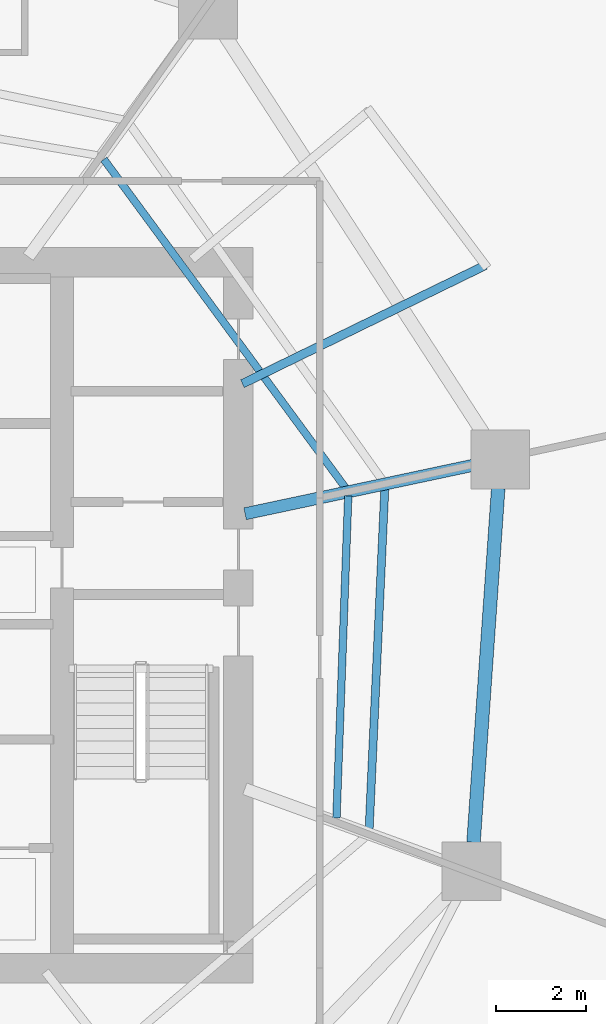
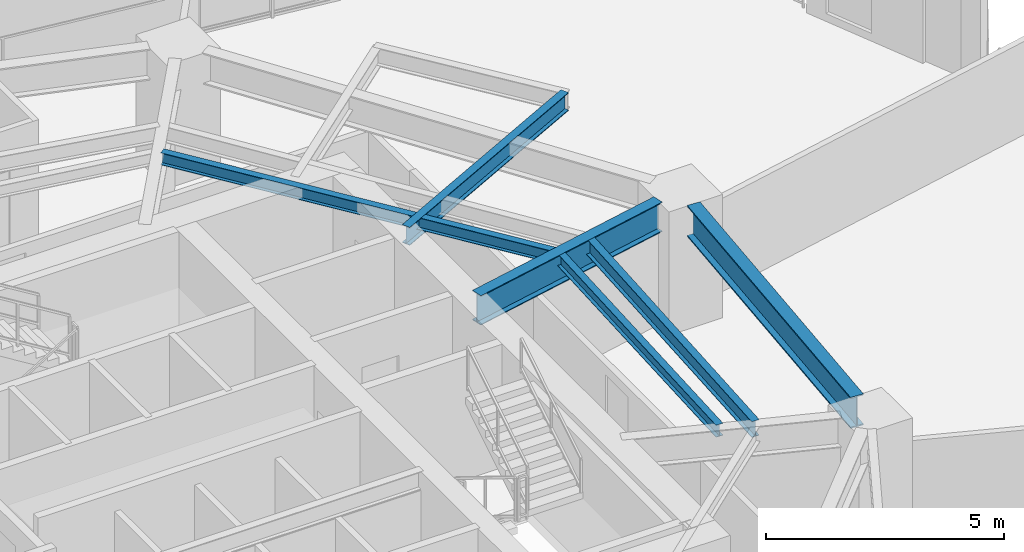
# One storey, part 14 of 30: 6 beams.
"""IFC4 building model written with IfcOpenShell, lengths in metres."""

from ifc_helpers import new_model, si_unit, direction, frame, origin, origin_2d, place, context, subcontext, project, spatial, i_section, extrude, material, material_profile, profile_set, type_object, element, save


model = new_model("IFC4")

# Units and contexts
model_context = context("Model", 3, precision=1e-05, world=origin(), true_north=direction((0.0, 1.0)))
body_context = subcontext(model_context, "Body", "Model", "MODEL_VIEW")
ifc_project = project(units=[si_unit("LENGTHUNIT", "METRE"), si_unit("AREAUNIT", "SQUARE_METRE"), si_unit("VOLUMEUNIT", "CUBIC_METRE"), si_unit("PLANEANGLEUNIT", "RADIAN"), si_unit("MASSUNIT", "GRAM", prefix="KILO")], contexts=[model_context])

# Site, building, storey
site_placement = place(None, origin())
site = spatial("IfcSite", under=ifc_project, at=site_placement, CompositionType="ELEMENT")
building_placement = place(site_placement, origin())
building = spatial("IfcBuilding", under=site, at=building_placement, Name="Qarnah Convention Tower", CompositionType="ELEMENT")
storey_placement = place(building_placement, frame((0.0, 0.0, 40.800048828125)))
storey = spatial("IfcBuildingStorey", under=building, at=storey_placement, Name="L09", CompositionType="ELEMENT", Elevation=40.800048828125)

# Beams
ifc_material = material(Name="Structural steel S355JR", Category="steel")
ifc_material_profile_1 = material_profile(ifc_material, i_section(OverallWidth=0.19189453125, OverallDepth=0.464111328125, WebThickness=0.010986328125, FlangeThickness=0.01806640625, at=origin_2d()), Name="W460X89")
ifc_profile_set_1 = profile_set([ifc_material_profile_1], Name="Structural steel S355JR")
beam_type_1 = type_object("IfcBeamType", Name="BM-CANT-W460A", PredefinedType="BEAM", material=ifc_profile_set_1)
beam_1_placement = place(storey_placement, frame((47.68994140625, 31.51611328125, 2.93798828125), z_axis=(0.898845814475, 0.438264990388, 0.0), x_axis=(-0.438264990388, 0.898845814475, 0.0)))
element("IfcBeam", 1, at=beam_1_placement, inside=storey, type_object=beam_type_1, Name="L09 beam BM-L09-CNT-01-1", PredefinedType="BEAM", context=body_context, shape_type="SweptSolid", body=[
    extrude(i_section(OverallWidth=0.19189453125, OverallDepth=0.464111328125, WebThickness=0.010986328125, FlangeThickness=0.01806640625, at=origin_2d()), origin(), (0.0, 0.0, 1.0), 5.973388671875),
])
ifc_material_profile_2 = material_profile(ifc_material, i_section(OverallWidth=0.166015625, OverallDepth=0.31201171875, WebThickness=0.007080078125, FlangeThickness=0.010986328125, at=origin_2d()), Name="W310X45")
ifc_profile_set_2 = profile_set([ifc_material_profile_2], Name="Structural steel S355JR")
beam_type_2 = type_object("IfcBeamType", Name="BM-JST-W310", PredefinedType="JOIST", material=ifc_profile_set_2)
beam_2_placement = place(storey_placement, frame((49.97802734375, 29.199951171875, 3.013916015625), z_axis=(-0.59258291675, 0.805509457906, 0.0), x_axis=(-0.805509457906, -0.59258291675, 0.0)))
element("IfcBeam", 2, at=beam_2_placement, inside=storey, type_object=beam_type_2, Name="L09 joist BM-L09-IJST-01", PredefinedType="JOIST", context=body_context, shape_type="SweptSolid", body=[
    extrude(i_section(OverallWidth=0.166015625, OverallDepth=0.31201171875, WebThickness=0.007080078125, FlangeThickness=0.010986328125, at=origin_2d()), origin(), (0.0, 0.0, 1.0), 9.03173828125),
])
beam_3_placement = place(storey_placement, frame((49.76708984375, 21.91796875, 3.013916015625), z_axis=(0.036630180467, 0.999328889745, 0.0), x_axis=(-0.999328889745, 0.036630180467, 0.0)))
element("IfcBeam", 3, at=beam_3_placement, inside=storey, type_object=beam_type_2, Name="L09 joist BM-L09-IJST-09", PredefinedType="JOIST", context=body_context, shape_type="SweptSolid", body=[
    extrude(i_section(OverallWidth=0.166015625, OverallDepth=0.31201171875, WebThickness=0.007080078125, FlangeThickness=0.010986328125, at=origin_2d()), origin(), (0.0, 0.0, 1.0), 7.125),
])
ifc_material_profile_3 = material_profile(ifc_material, i_section(OverallWidth=0.177978515625, OverallDepth=0.407958984375, WebThickness=0.008056640625, FlangeThickness=0.012939453125, at=origin_2d()), Name="W410X60")
ifc_profile_set_3 = profile_set([ifc_material_profile_3], Name="Structural steel S355JR")
beam_type_3 = type_object("IfcBeamType", Name="BM-JST-W410", PredefinedType="JOIST", material=ifc_profile_set_3)
beam_4_placement = place(storey_placement, frame((50.489013671875, 21.655029296875, 2.966064453125), z_axis=(0.046000694975, 0.998941407722, 0.0), x_axis=(-0.998941407722, 0.046000694975, 0.0)))
element("IfcBeam", 4, at=beam_4_placement, inside=storey, type_object=beam_type_3, Name="L09 joist BM-L09-SJST-09", PredefinedType="JOIST", context=body_context, shape_type="SweptSolid", body=[
    extrude(i_section(OverallWidth=0.177978515625, OverallDepth=0.407958984375, WebThickness=0.008056640625, FlangeThickness=0.012939453125, at=origin_2d()), origin(), (0.0, 0.0, 1.0), 7.56298828125),
])
ifc_material_profile_4 = material_profile(ifc_material, i_section(OverallWidth=0.26806640625, OverallDepth=0.760009765625, WebThickness=0.014892578125, FlangeThickness=0.02197265625, at=origin_2d()), Name="W760X185")
ifc_profile_set_4 = profile_set([ifc_material_profile_4], Name="Structural steel S355JR")
beam_type_4 = type_object("IfcBeamType", Name="BM-RAD-W760", PredefinedType="BEAM", material=ifc_profile_set_4)
beam_5_placement = place(storey_placement, frame((47.7470703125, 28.64208984375, 2.7900390625), z_axis=(0.978155710431, 0.207873534031, 0.0), x_axis=(-0.207873534031, 0.978155710431, 0.0)))
element("IfcBeam", 5, at=beam_5_placement, inside=storey, type_object=beam_type_4, Name="L09 beam BM-L09-RAD-01", PredefinedType="BEAM", context=body_context, shape_type="SweptSolid", body=[
    extrude(i_section(OverallWidth=0.26806640625, OverallDepth=0.760009765625, WebThickness=0.014892578125, FlangeThickness=0.02197265625, at=origin_2d()), origin(), (0.0, 0.0, 1.0), 5.13720703125),
])
ifc_material_profile_5 = material_profile(ifc_material, i_section(OverallWidth=0.300048828125, OverallDepth=0.800048828125, WebThickness=0.01806640625, FlangeThickness=0.032958984375, at=origin_2d()), Name="HEB800")
ifc_profile_set_5 = profile_set([ifc_material_profile_5], Name="Structural steel S355JR")
beam_type_5 = type_object("IfcBeamType", Name="BM-RING-HEB800", PredefinedType="BEAM", material=ifc_profile_set_5)
beam_6_placement = place(storey_placement, frame((52.797119140625, 21.3779296875, 2.77001953125), z_axis=(0.069594661237, 0.997575352105, 0.0), x_axis=(-0.997575352105, 0.069594661237, 0.0)))
element("IfcBeam", 6, at=beam_6_placement, inside=storey, type_object=beam_type_5, Name="L09 beam BM-L09-SPN-09", PredefinedType="BEAM", context=body_context, shape_type="SweptSolid", body=[
    extrude(i_section(OverallWidth=0.300048828125, OverallDepth=0.800048828125, WebThickness=0.01806640625, FlangeThickness=0.032958984375, at=origin_2d()), origin(), (0.0, 0.0, 1.0), 7.843994140625),
])

save(model, "model.ifc")
